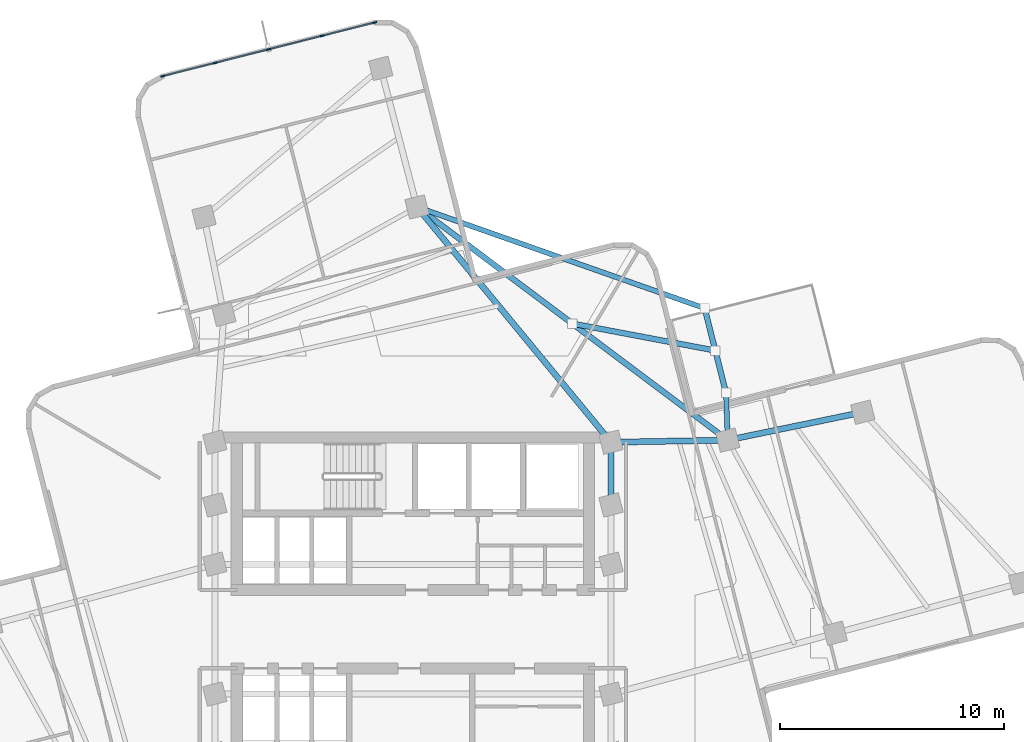
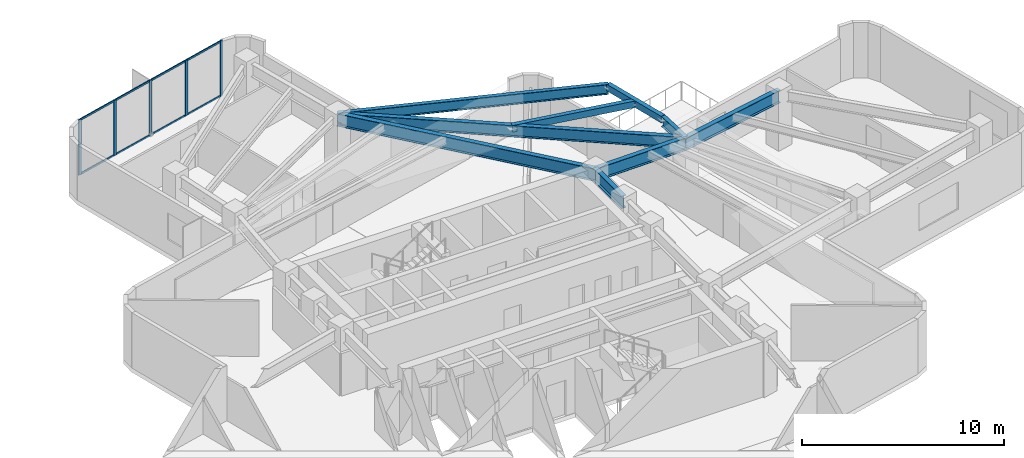
# One storey, part 4 of 11: 13 members, 9 beams, 1 element without a shape of its own.
"""IFC4 building model written with IfcOpenShell, lengths in metres."""

from ifc_helpers import new_model, si_unit, direction, frame, origin, origin_2d, place, context, subcontext, project, spatial, rectangle, hollow_rectangle, i_section, extrude, material, layer, layer_set, material_profile, profile_set, type_object, element, aggregate, save


model = new_model("IFC4")

# Units and contexts
model_context = context("Model", 3, precision=1e-05, world=origin(), true_north=direction((0.0, 1.0)))
body_context = subcontext(model_context, "Body", "Model", "MODEL_VIEW")
ifc_project = project(units=[si_unit("LENGTHUNIT", "METRE"), si_unit("AREAUNIT", "SQUARE_METRE"), si_unit("VOLUMEUNIT", "CUBIC_METRE"), si_unit("PLANEANGLEUNIT", "RADIAN"), si_unit("MASSUNIT", "GRAM", prefix="KILO")], contexts=[model_context])

# Site, building, storey
site_placement = place(None, origin())
site = spatial("IfcSite", under=ifc_project, at=site_placement, CompositionType="ELEMENT")
building_placement = place(site_placement, origin())
building = spatial("IfcBuilding", under=site, at=building_placement, Name="Solmarez Civic Tower", CompositionType="ELEMENT")
storey_placement = place(building_placement, frame((0.0, 0.0, 127.080078125)))
storey = spatial("IfcBuildingStorey", under=building, at=storey_placement, Name="L33", CompositionType="ELEMENT", Elevation=127.080078125)

# Beams
ifc_material_1 = material(Name="Steel S355", Category="steel")
ifc_material_profile_1 = material_profile(ifc_material_1, i_section(OverallWidth=0.25390625, OverallDepth=0.68798828125, WebThickness=0.01318359375, FlangeThickness=0.02099609375, at=origin_2d()), Name="W27X102")
ifc_profile_set_1 = profile_set([ifc_material_profile_1], Name="Steel S355")
beam_type_1 = type_object("IfcBeamType", Name="BM-PR-W27X102", PredefinedType="BEAM", material=ifc_profile_set_1)
beam_1_placement = place(storey_placement, frame((14.06396484375, 8.445068359375, 2.995849609375), z_axis=(-0.799878431775, 0.600162056766, 0.0), x_axis=(-0.600162056766, -0.799878431775, 0.0)))
element("IfcBeam", 1, at=beam_1_placement, inside=storey, type_object=beam_type_1, Name="L33 Primary Floor Beam BM-L33-BALC-NEC", PredefinedType="BEAM", context=body_context, shape_type="SweptSolid", body=[
    extrude(i_section(OverallWidth=0.25390625, OverallDepth=0.68798828125, WebThickness=0.01318359375, FlangeThickness=0.02099609375, at=origin_2d()), origin(), (0.0, 0.0, 1.0), 17.353759765625),
])
ifc_material_profile_2 = material_profile(ifc_material_1, i_section(OverallWidth=0.26708984375, OverallDepth=0.761962890625, WebThickness=0.014404296875, FlangeThickness=0.021484375, at=origin_2d()), Name="W30X116")
ifc_profile_set_2 = profile_set([ifc_material_profile_2], Name="Steel S355")
beam_type_2 = type_object("IfcBeamType", Name="BM-PR-W30X116", PredefinedType="BEAM", material=ifc_profile_set_2)
beam_2_placement = place(storey_placement, frame((8.85009765625, 5.550048828125, 2.958984375), z_axis=(0.0, 1.0, 0.0), x_axis=(-1.0, 0.0, 0.0)))
element("IfcBeam", 2, at=beam_2_placement, inside=storey, type_object=beam_type_2, Name="L33 Primary Floor Beam BM-L33-HC8-HC11", PredefinedType="BEAM", context=body_context, shape_type="SweptSolid", body=[
    extrude(i_section(OverallWidth=0.26708984375, OverallDepth=0.761962890625, WebThickness=0.014404296875, FlangeThickness=0.021484375, at=origin_2d()), origin(), (0.0, 0.0, 1.0), 2.800048828125),
])
beam_3_placement = place(storey_placement, frame((8.85009765625, 8.35009765625, 2.958984375), z_axis=(0.999834147765, 0.018212000538, 0.0), x_axis=(-0.018212000538, 0.999834147765, 0.0)))
element("IfcBeam", 3, at=beam_3_placement, inside=storey, type_object=beam_type_2, Name="L33 Primary Floor Beam BM-L33-EA-R1B", PredefinedType="BEAM", context=body_context, shape_type="SweptSolid", body=[
    extrude(i_section(OverallWidth=0.26708984375, OverallDepth=0.761962890625, WebThickness=0.014404296875, FlangeThickness=0.021484375, at=origin_2d()), origin(), (0.0, 0.0, 1.0), 5.21484375),
])
beam_4_placement = place(storey_placement, frame((14.06396484375, 8.445068359375, 2.958984375), z_axis=(0.979311082476, 0.202360578523, 0.0), x_axis=(-0.202360578523, 0.979311082476, 0.0)))
element("IfcBeam", 4, at=beam_4_placement, inside=storey, type_object=beam_type_2, Name="L33 Primary Floor Beam BM-L33-EA-R2B", PredefinedType="BEAM", context=body_context, shape_type="SweptSolid", body=[
    extrude(i_section(OverallWidth=0.26708984375, OverallDepth=0.761962890625, WebThickness=0.014404296875, FlangeThickness=0.021484375, at=origin_2d()), origin(), (0.0, 0.0, 1.0), 6.161376953125),
])
beam_5_placement = place(storey_placement, frame((8.85009765625, 8.35009765625, 2.958984375), z_axis=(-0.636218453069, 0.77150896299, 0.0), x_axis=(-0.77150896299, -0.636218453069, 0.0)))
element("IfcBeam", 5, at=beam_5_placement, inside=storey, type_object=beam_type_2, Name="L33 Primary Floor Beam BM-L33-NA-R1A", PredefinedType="BEAM", context=body_context, shape_type="SweptSolid", body=[
    extrude(i_section(OverallWidth=0.26708984375, OverallDepth=0.761962890625, WebThickness=0.014404296875, FlangeThickness=0.021484375, at=origin_2d()), origin(), (0.0, 0.0, 1.0), 13.62255859375),
])
ifc_material_profile_3 = material_profile(ifc_material_1, hollow_rectangle(XDim=0.25, YDim=0.39990234375, WallThickness=0.01611328125, at=origin_2d()), Name="HSS400X250X16")
ifc_profile_set_3 = profile_set([ifc_material_profile_3], Name="Steel S355")
beam_type_3 = type_object("IfcBeamType", Name="BM-SP-HSS400X250", PredefinedType="SPANDREL", material=ifc_profile_set_3)
beam_6_placement = place(storey_placement, frame((13.988037109375, 10.553955078125, 3.139892578125), z_axis=(-0.245141857884, 0.969487219881, 0.0), x_axis=(-0.969487219881, -0.245141857884, 0.0)))
element("IfcBeam", 6, at=beam_6_placement, inside=storey, type_object=beam_type_3, Name="L33 Perimeter Spandrel Beam BM-L33-BALC-NEE", PredefinedType="SPANDREL", context=body_context, shape_type="SweptSolid", body=[
    extrude(hollow_rectangle(XDim=0.25, YDim=0.39990234375, WallThickness=0.01611328125, at=origin_2d()), origin(), (0.0, 0.0, 1.0), 3.89990234375),
])
beam_7_placement = place(storey_placement, frame((7.123046875, 13.652099609375, 3.139892578125), z_axis=(0.982607124139, -0.185696633223, 0.0), x_axis=(0.185696633223, 0.982607124139, 0.0)))
element("IfcBeam", 7, at=beam_7_placement, inside=storey, type_object=beam_type_3, Name="L33 Perimeter Spandrel Beam BM-L33-BALC-NEM", PredefinedType="SPANDREL", context=body_context, shape_type="SweptSolid", body=[
    extrude(hollow_rectangle(XDim=0.25, YDim=0.39990234375, WallThickness=0.01611328125, at=origin_2d()), origin(), (0.0, 0.0, 1.0), 6.5),
])
ifc_material_profile_4 = material_profile(ifc_material_1, i_section(OverallWidth=0.22900390625, OverallDepth=0.612060546875, WebThickness=0.011962890625, FlangeThickness=0.01953125, at=origin_2d()), Name="W24X84")
ifc_profile_set_4 = profile_set([ifc_material_profile_4], Name="Steel S355")
beam_type_4 = type_object("IfcBeamType", Name="BM-SP-W24X84", PredefinedType="SPANDREL", material=ifc_profile_set_4)
beam_8_placement = place(storey_placement, frame((14.06396484375, 8.445068359375, 3.033935546875), z_axis=(-0.035980392021, 0.999352496064, 0.0), x_axis=(-0.999352496064, -0.035980392021, 0.0)))
element("IfcBeam", 8, at=beam_8_placement, inside=storey, type_object=beam_type_4, Name="L33 Perimeter Spandrel Beam BM-L33-BALC-NE1", PredefinedType="SPANDREL", context=body_context, shape_type="SweptSolid", body=[
    extrude(i_section(OverallWidth=0.22900390625, OverallDepth=0.612060546875, WebThickness=0.011962890625, FlangeThickness=0.01953125, at=origin_2d()), origin(), (0.0, 0.0, 1.0), 2.1103515625),
])
beam_9_placement = place(storey_placement, frame((0.18310546875, 18.860107421875, 3.033935546875), z_axis=(0.943214777397, -0.332183509074, 0.0), x_axis=(0.332183509074, 0.943214777397, 0.0)))
element("IfcBeam", 9, at=beam_9_placement, inside=storey, type_object=beam_type_4, Name="L33 Perimeter Spandrel Beam BM-L33-BALC-NE2", PredefinedType="SPANDREL", context=body_context, shape_type="SweptSolid", body=[
    extrude(i_section(OverallWidth=0.22900390625, OverallDepth=0.612060546875, WebThickness=0.011962890625, FlangeThickness=0.01953125, at=origin_2d()), origin(), (0.0, 0.0, 1.0), 13.622314453125),
])

# Curtain wall, members
ifc_material_2 = material(Name="Bronze Anodised Aluminium EN AW-6063 T6", Category="aluminium")
ifc_layer = layer(ifc_material_2, 0.155029296875)
ifc_layer_set = layer_set([ifc_layer], Name="Bronze Anodised Aluminium EN AW-6063 T6")
curtain_wall_type = type_object("IfcCurtainWallType", Name="CW-SYS-6", PredefinedType="NOTDEFINED", material=ifc_layer_set)
curtain_wall_placement = place(storey_placement, origin())
curtain_wall = element("IfcCurtainWall", 10, at=curtain_wall_placement, inside=storey, type_object=curtain_wall_type, Name="L33 Stick-Built Curtain Wall 2", PredefinedType="NOTDEFINED")
ifc_material_profile_5 = material_profile(ifc_material_2, rectangle(XDim=0.070068359375, YDim=0.179931640625, at=origin_2d()), Name="CWM-70X180")
ifc_profile_set_5 = profile_set([ifc_material_profile_5], Name="Bronze Anodised Aluminium EN AW-6063 T6")
member_type_1 = type_object("IfcMemberType", Name="CWM-TYPE-2", PredefinedType="MULLION", material=ifc_profile_set_5)
member_1_placement = place(storey_placement, frame((-11.177001953125, 24.70361328125, 0.0), z_axis=(0.0, 0.0, 1.0), x_axis=(-0.245212726897, 0.969469297383, 0.0)))
member_1 = element("IfcMember", 11, at=member_1_placement, type_object=member_type_1, Name="CWS6 mullion 1", PredefinedType="MULLION", context=body_context, shape_type="SweptSolid", body=[
    extrude(rectangle(XDim=0.070068359375, YDim=0.179931640625, at=origin_2d()), origin(), (0.0, 0.0, 1.0), 3.33984375),
])
member_2_placement = place(storey_placement, frame((-8.825927734375, 25.29833984375, 0.0), z_axis=(0.0, 0.0, 1.0), x_axis=(-0.245212726897, 0.969469297383, 0.0)))
member_2 = element("IfcMember", 12, at=member_2_placement, type_object=member_type_1, Name="CWS6 mullion 2", PredefinedType="MULLION", context=body_context, shape_type="SweptSolid", body=[
    extrude(rectangle(XDim=0.070068359375, YDim=0.179931640625, at=origin_2d()), origin(), (0.0, 0.0, 1.0), 3.33984375),
])
member_3_placement = place(storey_placement, frame((-6.44091796875, 25.901611328125, 0.0), z_axis=(0.0, 0.0, 1.0), x_axis=(-0.245212726897, 0.969469297383, 0.0)))
member_3 = element("IfcMember", 13, at=member_3_placement, type_object=member_type_1, Name="CWS6 mullion 3", PredefinedType="MULLION", context=body_context, shape_type="SweptSolid", body=[
    extrude(rectangle(XDim=0.070068359375, YDim=0.179931640625, at=origin_2d()), origin(), (0.0, 0.0, 1.0), 3.33984375),
])
member_4_placement = place(storey_placement, frame((-4.055908203125, 26.504638671875, 0.0), z_axis=(0.0, 0.0, 1.0), x_axis=(-0.245212726897, 0.969469297383, 0.0)))
member_4 = element("IfcMember", 14, at=member_4_placement, type_object=member_type_1, Name="CWS6 mullion 4", PredefinedType="MULLION", context=body_context, shape_type="SweptSolid", body=[
    extrude(rectangle(XDim=0.070068359375, YDim=0.179931640625, at=origin_2d()), origin(), (0.0, 0.0, 1.0), 3.33984375),
])
member_5_placement = place(storey_placement, frame((-1.704833984375, 27.099365234375, 0.0), z_axis=(0.0, 0.0, 1.0), x_axis=(-0.245212726897, 0.969469297383, 0.0)))
member_5 = element("IfcMember", 15, at=member_5_placement, type_object=member_type_1, Name="CWS6 mullion 5", PredefinedType="MULLION", context=body_context, shape_type="SweptSolid", body=[
    extrude(rectangle(XDim=0.070068359375, YDim=0.179931640625, at=origin_2d()), origin(), (0.0, 0.0, 1.0), 3.33984375),
])
ifc_material_profile_6 = material_profile(ifc_material_2, rectangle(XDim=0.06005859375, YDim=0.110107421875, at=origin_2d()), Name="CWT-60X110")
ifc_profile_set_6 = profile_set([ifc_material_profile_6], Name="Bronze Anodised Aluminium EN AW-6063 T6")
member_type_2 = type_object("IfcMemberType", Name="CWT-TYPE-3", PredefinedType="USERDEFINED", material=ifc_profile_set_6)
member_6_placement = place(storey_placement, frame((-11.14306640625, 24.712158203125, 0.030029296875), z_axis=(0.969480342294, 0.245169055766, 0.0), x_axis=(-0.245169055766, 0.969480342294, 0.0)))
member_6 = element("IfcMember", 16, at=member_6_placement, type_object=member_type_2, Name="CWS6 transom 1.1", ObjectType="TRANSOM", PredefinedType="USERDEFINED", context=body_context, shape_type="SweptSolid", body=[
    extrude(rectangle(XDim=0.06005859375, YDim=0.110107421875, at=origin_2d()), origin(), (0.0, 0.0, 1.0), 2.35498046875),
])
member_7_placement = place(storey_placement, frame((-11.14306640625, 24.712158203125, 3.309814453125), z_axis=(0.969480342294, 0.245169055766, 0.0), x_axis=(-0.245169055766, 0.969480342294, 0.0)))
member_7 = element("IfcMember", 17, at=member_7_placement, type_object=member_type_2, Name="CWS6 transom 1.2", ObjectType="TRANSOM", PredefinedType="USERDEFINED", context=body_context, shape_type="SweptSolid", body=[
    extrude(rectangle(XDim=0.06005859375, YDim=0.110107421875, at=origin_2d()), origin(), (0.0, 0.0, 1.0), 2.35498046875),
])
member_8_placement = place(storey_placement, frame((-8.7919921875, 25.306884765625, 0.030029296875), z_axis=(0.96948401573, 0.245154529317, 0.0), x_axis=(-0.245154529317, 0.96948401573, 0.0)))
member_8 = element("IfcMember", 18, at=member_8_placement, type_object=member_type_2, Name="CWS6 transom 2.1", ObjectType="TRANSOM", PredefinedType="USERDEFINED", context=body_context, shape_type="SweptSolid", body=[
    extrude(rectangle(XDim=0.06005859375, YDim=0.110107421875, at=origin_2d()), origin(), (0.0, 0.0, 1.0), 2.39013671875),
])
member_9_placement = place(storey_placement, frame((-8.7919921875, 25.306884765625, 3.309814453125), z_axis=(0.96948401573, 0.245154529317, 0.0), x_axis=(-0.245154529317, 0.96948401573, 0.0)))
member_9 = element("IfcMember", 19, at=member_9_placement, type_object=member_type_2, Name="CWS6 transom 2.2", ObjectType="TRANSOM", PredefinedType="USERDEFINED", context=body_context, shape_type="SweptSolid", body=[
    extrude(rectangle(XDim=0.06005859375, YDim=0.110107421875, at=origin_2d()), origin(), (0.0, 0.0, 1.0), 2.39013671875),
])
member_10_placement = place(storey_placement, frame((-6.406982421875, 25.91015625, 0.030029296875), z_axis=(0.96948401573, 0.245154529317, 0.0), x_axis=(-0.245154529317, 0.96948401573, 0.0)))
member_10 = element("IfcMember", 20, at=member_10_placement, type_object=member_type_2, Name="CWS6 transom 3.1", ObjectType="TRANSOM", PredefinedType="USERDEFINED", context=body_context, shape_type="SweptSolid", body=[
    extrude(rectangle(XDim=0.06005859375, YDim=0.110107421875, at=origin_2d()), origin(), (0.0, 0.0, 1.0), 2.39013671875),
])
member_11_placement = place(storey_placement, frame((-6.406982421875, 25.91015625, 3.309814453125), z_axis=(0.96948401573, 0.245154529317, 0.0), x_axis=(-0.245154529317, 0.96948401573, 0.0)))
member_11 = element("IfcMember", 21, at=member_11_placement, type_object=member_type_2, Name="CWS6 transom 3.2", ObjectType="TRANSOM", PredefinedType="USERDEFINED", context=body_context, shape_type="SweptSolid", body=[
    extrude(rectangle(XDim=0.06005859375, YDim=0.110107421875, at=origin_2d()), origin(), (0.0, 0.0, 1.0), 2.39013671875),
])
member_12_placement = place(storey_placement, frame((-4.02197265625, 26.513427734375, 0.030029296875), z_axis=(0.969480342294, 0.245169055766, 0.0), x_axis=(-0.245169055766, 0.969480342294, 0.0)))
member_12 = element("IfcMember", 22, at=member_12_placement, type_object=member_type_2, Name="CWS6 transom 4.1", ObjectType="TRANSOM", PredefinedType="USERDEFINED", context=body_context, shape_type="SweptSolid", body=[
    extrude(rectangle(XDim=0.06005859375, YDim=0.110107421875, at=origin_2d()), origin(), (0.0, 0.0, 1.0), 2.35498046875),
])
member_13_placement = place(storey_placement, frame((-4.02197265625, 26.513427734375, 3.309814453125), z_axis=(0.969480342294, 0.245169055766, 0.0), x_axis=(-0.245169055766, 0.969480342294, 0.0)))
member_13 = element("IfcMember", 23, at=member_13_placement, type_object=member_type_2, Name="CWS6 transom 4.2", ObjectType="TRANSOM", PredefinedType="USERDEFINED", context=body_context, shape_type="SweptSolid", body=[
    extrude(rectangle(XDim=0.06005859375, YDim=0.110107421875, at=origin_2d()), origin(), (0.0, 0.0, 1.0), 2.35498046875),
])
aggregate(curtain_wall, [member_1, member_2, member_3, member_4, member_5, member_6, member_7, member_8, member_9, member_10, member_11, member_12, member_13])

save(model, "model.ifc")
